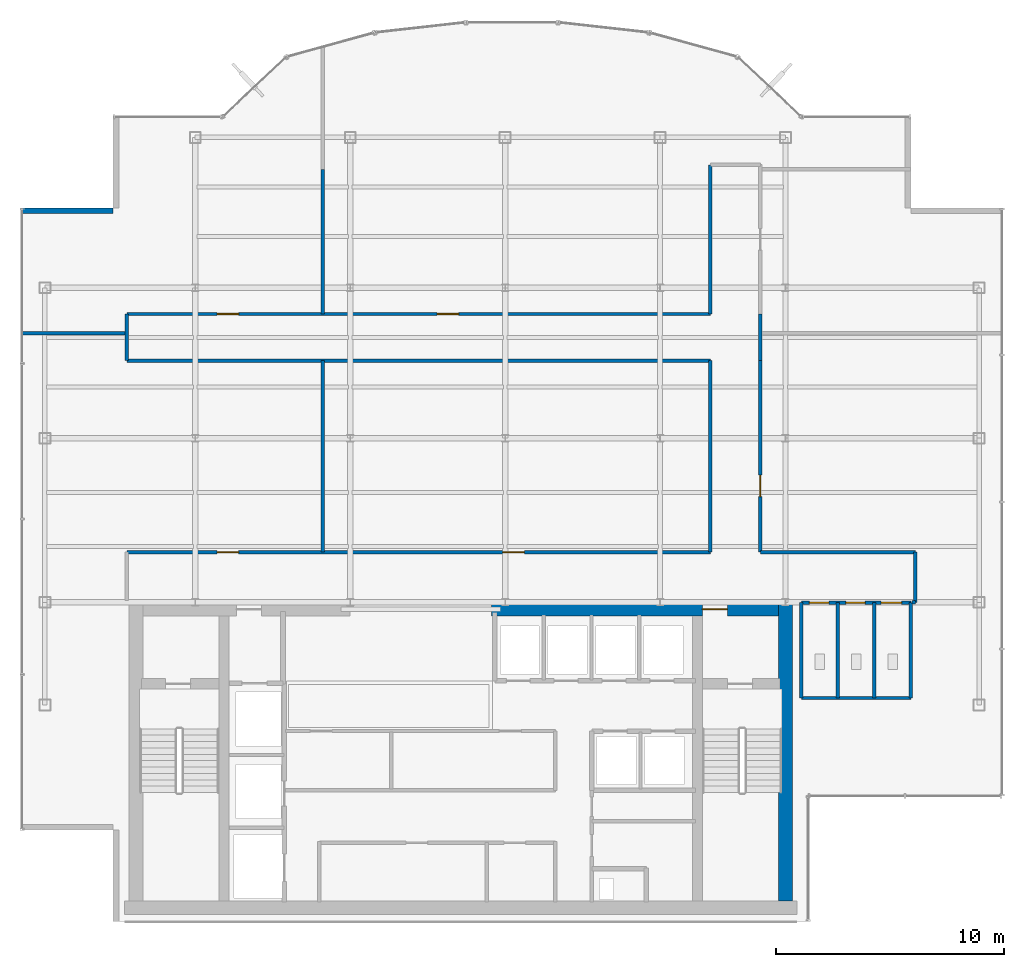
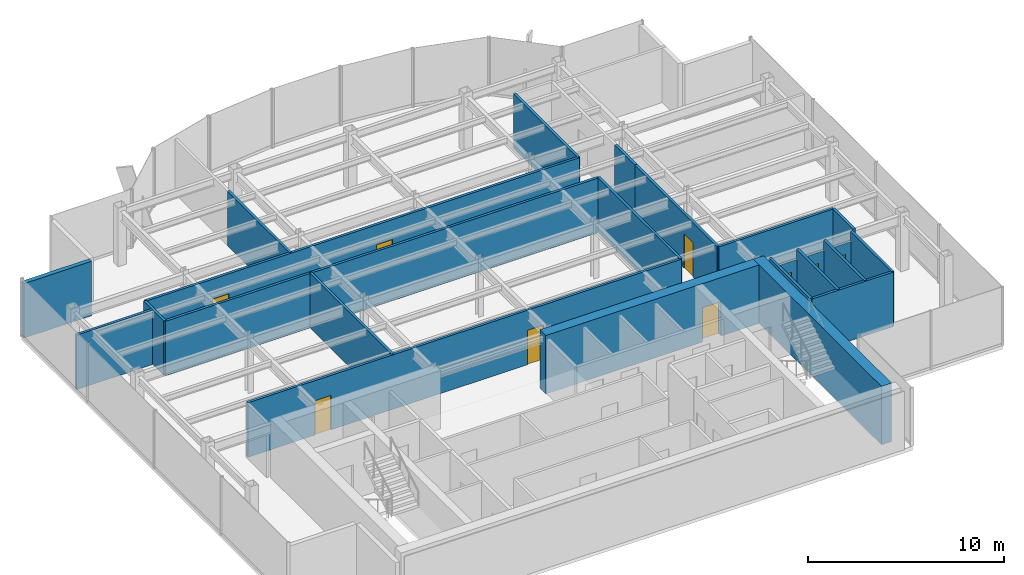
# One storey, part 18 of 22: 23 walls, 9 doors, 9 openings.
"""IFC4 building model written with IfcOpenShell, lengths in metres."""

from ifc_helpers import new_model, si_unit, derived_unit, direction, frame, frame_2d, origin, place, context, subcontext, project, spatial, rectangle, extrude, source, transform, mapped, material, layer, layer_set, type_object, element, fill, save


model = new_model("IFC4")

# Units and contexts
model_context = context("Model", 3, precision=1e-05, world=origin(), true_north=direction((0.0, 1.0)))
body_context = subcontext(model_context, "Body", "Model", "MODEL_VIEW")
ifc_project = project(units=[si_unit("LENGTHUNIT", "METRE"), si_unit("AREAUNIT", "SQUARE_METRE"), si_unit("VOLUMEUNIT", "CUBIC_METRE"), si_unit("PLANEANGLEUNIT", "RADIAN"), si_unit("MASSUNIT", "GRAM", prefix="KILO"), derived_unit("THERMALTRANSMITTANCEUNIT", [(si_unit("POWERUNIT", "WATT"), 1), (si_unit("LENGTHUNIT", "METRE"), -2), (si_unit("THERMODYNAMICTEMPERATUREUNIT", "KELVIN"), -1)])], contexts=[model_context])

# Site, building, storey
site_placement = place(None, origin())
site = spatial("IfcSite", under=ifc_project, at=site_placement, CompositionType="ELEMENT")
building_placement = place(site_placement, origin())
building = spatial("IfcBuilding", under=site, at=building_placement, Name="Skarnbrae Concourse Arena and Tower", CompositionType="ELEMENT")
storey_placement = place(building_placement, frame((0.0, 0.0, 199.550048828125)))
storey = spatial("IfcBuildingStorey", under=building, at=storey_placement, Name="L51", CompositionType="ELEMENT", Elevation=199.550048828125)

# Wall
ifc_material_1 = material(Name="Concrete 50 MPa (C50/60)", Category="concrete")
ifc_layer_1 = layer(ifc_material_1, 0.60009765625)
ifc_layer_set_1 = layer_set([ifc_layer_1], Name="Concrete 50 MPa (C50/60)")
wall_type_1 = type_object("IfcWallType", Name="WALL-CORE-600-C50", PredefinedType="SHEAR", material=ifc_layer_set_1)
shared_shape_1 = source(origin(), body_context, "Body", "SweptSolid", [
    extrude(rectangle(XDim=13.10009765625, YDim=0.60009765625, at=frame_2d((6.550048828125, 0.0))), origin(), (0.0, 0.0, 1.0), 3.64990234375),
])
wall_1_placement = place(storey_placement, frame((33.5, 0.89990234375, 0.0), z_axis=(0.0, 0.0, 1.0), x_axis=(0.0, 1.0, 0.0)))
element("IfcWall", 1, at=wall_1_placement, inside=storey, type_object=wall_type_1, Name="L51 Rear core shear wall CW-E", PredefinedType="SHEAR", context=body_context, shape_type="MappedRepresentation", body=[
    mapped(shared_shape_1, transform((0.0, 0.0, 0.0))),
])

# Wall, opening, door
shared_shape_2 = source(origin(), body_context, "Body", "SweptSolid", [
    extrude(rectangle(XDim=12.599853515625, YDim=0.60009765625, at=frame_2d((6.2998046875, 0.0))), origin(), (0.0, 0.0, 1.0), 3.64990234375),
])
wall_2_placement = place(storey_placement, frame((20.60009765625, 13.699951171875, 0.0), z_axis=(0.0, 0.0, 1.0), x_axis=(1.0, 0.0, 0.0)))
wall_2 = element("IfcWall", 2, at=wall_2_placement, inside=storey, type_object=wall_type_1, Name="L51 Rear core shear wall CW-NE", PredefinedType="SHEAR", context=body_context, shape_type="MappedRepresentation", body=[
    mapped(shared_shape_2, transform((0.0, 0.0, 0.0))),
])
opening_1_placement = place(wall_2_placement, frame((9.25, 0.0, 0.0)))
opening_1 = element("IfcOpeningElement", 3, at=opening_1_placement, cuts=wall_2, Name="Opening DT-03", PredefinedType="OPENING", context=body_context, shape_type="SweptSolid", body=[
    extrude(rectangle(XDim=1.10009765625, YDim=2.14990234375, at=frame_2d((0.550048828125, 1.074951171875))), frame((0.0, 0.31005859375, 0.0), z_axis=(0.0, -1.0, 0.0), x_axis=(1.0, 0.0, 0.0)), (0.0, 0.0, 1.0), 0.6201171875),
])
ifc_material_2 = material(Name="Steel CSA G40.21 350W", Category="steel")
door_type_1 = type_object("IfcDoorType", Name="DOOR-FIRE-1100-90M", OperationType="NOTDEFINED", PredefinedType="DOOR", material=ifc_material_2)
shared_shape_3 = source(origin(), body_context, "Body", "SweptSolid", [
    extrude(rectangle(XDim=1.10009765625, YDim=2.14990234375, at=frame_2d((0.550048828125, 1.074951171875))), frame((0.0, 0.02490234375, 0.0), z_axis=(0.0, -1.0, 0.0), x_axis=(1.0, 0.0, 0.0)), (0.0, 0.0, 1.0), 0.050048828125),
])
door_1_placement = place(opening_1_placement, origin())
door_1 = element("IfcDoor", 4, at=door_1_placement, inside=storey, type_object=door_type_1, Name="D-1558 Stair ST-2 Vestibule Door", OperationType="SINGLE_SWING_LEFT", OverallHeight=2.14990234375, OverallWidth=1.10009765625, PredefinedType="DOOR", context=body_context, shape_type="MappedRepresentation", body=[
    mapped(shared_shape_3, transform((0.0, 0.0, 0.0))),
])
fill(opening_1, door_1)

# Walls
ifc_material_3 = material(Name="Precast concrete 40 MPa (C40/50)", Category="concrete")
ifc_layer_2 = layer(ifc_material_3, 0.25)
ifc_layer_set_2 = layer_set([ifc_layer_2], Name="Precast concrete 40 MPa (C40/50)")
wall_type_2 = type_object("IfcWallType", Name="WALL-EXT-SPANDREL-250", PredefinedType="STANDARD", material=ifc_layer_set_2)
shared_shape_4 = source(origin(), body_context, "Body", "SweptSolid", [
    extrude(rectangle(XDim=4.0, YDim=0.25, at=frame_2d((2.0, 0.0))), origin(), (0.0, 0.0, 1.0), 3.39990234375),
])
wall_3_placement = place(storey_placement, frame((4.0, 31.175048828125, 0.0), z_axis=(0.0, 0.0, 1.0), x_axis=(-1.0, 0.0, 0.0)))
element("IfcWall", 5, at=wall_3_placement, inside=storey, type_object=wall_type_2, Name="L51 Notched corner insulated return wall 17", PredefinedType="STANDARD", context=body_context, shape_type="MappedRepresentation", body=[
    mapped(shared_shape_4, transform((0.0, 0.0, 0.0))),
])
ifc_material_4 = material(Name="Gypsum board on cold-formed steel studs", Category="steel")
ifc_layer_3 = layer(ifc_material_4, 0.14990234375)
ifc_layer_set_3 = layer_set([ifc_layer_3], Name="Gypsum board on cold-formed steel studs")
wall_type_3 = type_object("IfcWallType", Name="WALL-PART-150", PredefinedType="PARTITIONING", material=ifc_layer_set_3)
shared_shape_5 = source(origin(), body_context, "Body", "SweptSolid", [
    extrude(rectangle(XDim=4.800048828125, YDim=0.14990234375, at=frame_2d((2.39990234375, 0.0))), origin(), (0.0, 0.0, 1.0), 3.39990234375),
])
wall_4_placement = place(storey_placement, frame((34.199951171875, 9.800048828125, 0.0), z_axis=(0.0, 0.0, 1.0), x_axis=(1.0, 0.0, 0.0)))
element("IfcWall", 6, at=wall_4_placement, inside=storey, type_object=wall_type_3, Name="L51 Interior partition wall W-L51-WC-S", PredefinedType="PARTITIONING", context=body_context, shape_type="MappedRepresentation", body=[
    mapped(shared_shape_5, transform((0.0, 0.0, 0.0))),
])
shared_shape_6 = source(origin(), body_context, "Body", "SweptSolid", [
    extrude(rectangle(XDim=4.179931640625, YDim=0.14990234375, at=frame_2d((2.08984375, 0.0))), origin(), (0.0, 0.0, 1.0), 3.39990234375),
])
for number, where, z_axis, x_axis, name in (
    (7, (39.0, 9.800048828125, 0.0), (0.0, 0.0, 1.0), (0.0, 1.0, 0.0), "L51 Interior partition wall W-L51-WC-E"),
    (8, (34.199951171875, 9.800048828125, 0.0), (0.0, 0.0, 1.0), (0.0, 1.0, 0.0), "L51 Interior partition wall W-L51-WC-W"),
    (9, (35.800048828125, 9.800048828125, 0.0), (0.0, 0.0, 1.0), (0.0, 1.0, 0.0), "L51 Interior partition wall W-L51-WC-D1"),
    (10, (37.39990234375, 9.800048828125, 0.0), (0.0, 0.0, 1.0), (0.0, 1.0, 0.0), "L51 Interior partition wall W-L51-WC-D2"),
):
    element("IfcWall", number, at=place(storey_placement, frame(where, z_axis=z_axis, x_axis=x_axis)), inside=storey, type_object=wall_type_3, Name=name, PredefinedType="PARTITIONING", context=body_context, shape_type="MappedRepresentation", body=[
        mapped(shared_shape_6, transform((0.0, 0.0, 0.0))),
    ])
ifc_layer_4 = layer(ifc_material_4, 0.14990234375)
ifc_layer_set_4 = layer_set([ifc_layer_4], Name="Gypsum board on cold-formed steel studs")
wall_type_4 = type_object("IfcWallType", Name="WALL-PART-150-1HR", PredefinedType="PARTITIONING", material=ifc_layer_set_4)
shared_shape_7 = source(origin(), body_context, "Body", "SweptSolid", [
    extrude(rectangle(XDim=2.199951171875, YDim=0.14990234375, at=frame_2d((1.10009765625, 0.0))), origin(), (0.0, 0.0, 1.0), 3.39990234375),
])
wall_5_placement = place(storey_placement, frame((39.199951171875, 16.199951171875, 0.0), z_axis=(0.0, 0.0, 1.0), x_axis=(0.0, -1.0, 0.0)))
element("IfcWall", 11, at=wall_5_placement, inside=storey, type_object=wall_type_4, Name="L51 Interior partition wall W-L51-COR-13", PredefinedType="PARTITIONING", context=body_context, shape_type="MappedRepresentation", body=[
    mapped(shared_shape_7, transform((0.0, 0.0, 0.0))),
])
shared_shape_8 = source(origin(), body_context, "Body", "SweptSolid", [
    extrude(rectangle(XDim=4.580078125, YDim=0.14990234375, at=frame_2d((2.2900390625, 0.0))), origin(), (0.0, 0.0, 1.0), 3.39990234375),
])
wall_6_placement = place(storey_placement, frame((0.02001953125, 25.800048828125, 0.0), z_axis=(0.0, 0.0, 1.0), x_axis=(1.0, 0.0, 0.0)))
element("IfcWall", 12, at=wall_6_placement, inside=storey, type_object=wall_type_3, Name="L51 Interior partition wall W-L51-DEM-15", PredefinedType="PARTITIONING", context=body_context, shape_type="MappedRepresentation", body=[
    mapped(shared_shape_8, transform((0.0, 0.0, 0.0))),
])

# Wall, openings, doors
shared_shape_9 = source(origin(), body_context, "Body", "SweptSolid", [
    extrude(rectangle(XDim=4.800048828125, YDim=0.14990234375, at=frame_2d((2.39990234375, 0.0))), origin(), (0.0, 0.0, 1.0), 2.786865234375),
])
wall_7_placement = place(storey_placement, frame((34.199951171875, 13.97998046875, 0.0), z_axis=(0.0, 0.0, 1.0), x_axis=(1.0, 0.0, 0.0)))
wall_7 = element("IfcWall", 13, at=wall_7_placement, inside=storey, type_object=wall_type_3, Name="L51 Interior partition wall W-L51-WC-N", PredefinedType="PARTITIONING", context=body_context, shape_type="MappedRepresentation", body=[
    mapped(shared_shape_9, transform((0.0, 0.0, 0.0))),
])
opening_2_placement = place(wall_7_placement, frame((0.35009765625, 0.0, 0.0)))
opening_2 = element("IfcOpeningElement", 14, at=opening_2_placement, cuts=wall_7, Name="Opening DT-06", PredefinedType="OPENING", context=body_context, shape_type="SweptSolid", body=[
    extrude(rectangle(XDim=0.85009765625, YDim=2.10009765625, at=frame_2d((0.425048828125, 1.050048828125))), frame((0.0, 0.0849609375, 0.0), z_axis=(0.0, -1.0, 0.0), x_axis=(1.0, 0.0, 0.0)), (0.0, 0.0, 1.0), 0.169921875),
])
opening_3_placement = place(wall_7_placement, frame((1.949951171875, 0.0, 0.0)))
opening_3 = element("IfcOpeningElement", 15, at=opening_3_placement, cuts=wall_7, Name="Opening DT-06", PredefinedType="OPENING", context=body_context, shape_type="SweptSolid", body=[
    extrude(rectangle(XDim=0.85009765625, YDim=2.10009765625, at=frame_2d((0.425048828125, 1.050048828125))), frame((0.0, 0.0849609375, 0.0), z_axis=(0.0, -1.0, 0.0), x_axis=(1.0, 0.0, 0.0)), (0.0, 0.0, 1.0), 0.169921875),
])
opening_4_placement = place(wall_7_placement, frame((3.5, 0.0, 0.0)))
opening_4 = element("IfcOpeningElement", 16, at=opening_4_placement, cuts=wall_7, Name="Opening DT-05", PredefinedType="OPENING", context=body_context, shape_type="SweptSolid", body=[
    extrude(rectangle(XDim=0.89990234375, YDim=2.10009765625, at=frame_2d((0.449951171875, 1.050048828125))), frame((0.0, 0.0849609375, 0.0), z_axis=(0.0, -1.0, 0.0), x_axis=(1.0, 0.0, 0.0)), (0.0, 0.0, 1.0), 0.169921875),
])
ifc_material_5 = material(Name="Architectural oak veneer timber leaf", Category="wood")
door_type_2 = type_object("IfcDoorType", Name="DOOR-INT-850", OperationType="NOTDEFINED", PredefinedType="DOOR", material=ifc_material_5)
shared_shape_10 = source(origin(), body_context, "Body", "SweptSolid", [
    extrude(rectangle(XDim=0.85009765625, YDim=2.10009765625, at=frame_2d((0.425048828125, 1.050048828125))), frame((0.0, 0.02490234375, 0.0), z_axis=(0.0, -1.0, 0.0), x_axis=(1.0, 0.0, 0.0)), (0.0, 0.0, 1.0), 0.050048828125),
])
door_2_placement = place(opening_2_placement, frame((0.85009765625, 0.0, 0.0), z_axis=(0.0, 0.0, 1.0), x_axis=(-1.0, 0.0, 0.0)))
door_2 = element("IfcDoor", 17, at=door_2_placement, inside=storey, type_object=door_type_2, Name="D-1574 Male Washroom Door", OperationType="SINGLE_SWING_LEFT", OverallHeight=2.10009765625, OverallWidth=0.85009765625, PredefinedType="DOOR", context=body_context, shape_type="MappedRepresentation", body=[
    mapped(shared_shape_10, transform((0.0, 0.0, 0.0))),
])
fill(opening_2, door_2)
door_3_placement = place(opening_3_placement, frame((0.85009765625, 0.0, 0.0), z_axis=(0.0, 0.0, 1.0), x_axis=(-1.0, 0.0, 0.0)))
door_3 = element("IfcDoor", 18, at=door_3_placement, inside=storey, type_object=door_type_2, Name="D-1575 Female Washroom Door", OperationType="SINGLE_SWING_RIGHT", OverallHeight=2.10009765625, OverallWidth=0.85009765625, PredefinedType="DOOR", context=body_context, shape_type="MappedRepresentation", body=[
    mapped(shared_shape_10, transform((0.0, 0.0, 0.0))),
])
fill(opening_3, door_3)
door_type_3 = type_object("IfcDoorType", Name="DOOR-INT-900", OperationType="NOTDEFINED", PredefinedType="DOOR", material=ifc_material_5)
shared_shape_11 = source(origin(), body_context, "Body", "SweptSolid", [
    extrude(rectangle(XDim=0.89990234375, YDim=2.10009765625, at=frame_2d((0.449951171875, 1.050048828125))), frame((0.0, 0.02490234375, 0.0), z_axis=(0.0, -1.0, 0.0), x_axis=(1.0, 0.0, 0.0)), (0.0, 0.0, 1.0), 0.050048828125),
])
door_4_placement = place(opening_4_placement, frame((0.89990234375, 0.0, 0.0), z_axis=(0.0, 0.0, 1.0), x_axis=(-1.0, 0.0, 0.0)))
door_4 = element("IfcDoor", 19, at=door_4_placement, inside=storey, type_object=door_type_3, Name="D-1576 Accessible WC Door", OperationType="SINGLE_SWING_LEFT", OverallHeight=2.10009765625, OverallWidth=0.89990234375, PredefinedType="DOOR", context=body_context, shape_type="MappedRepresentation", body=[
    mapped(shared_shape_11, transform((0.0, 0.0, 0.0))),
])
fill(opening_4, door_4)

# Walls
shared_shape_12 = source(origin(), body_context, "Body", "SweptSolid", [
    extrude(rectangle(XDim=0.14990234375, YDim=0.14990234375, at=frame_2d((0.074951171875, 0.0))), origin(), (0.0, 0.0, 1.0), 3.39990234375),
])
wall_8_placement = place(storey_placement, frame((39.199951171875, 14.0, 0.0), z_axis=(0.0, 0.0, 1.0), x_axis=(-1.0, 0.0, 0.0)))
element("IfcWall", 20, at=wall_8_placement, inside=storey, type_object=wall_type_4, Name="L51 Interior partition wall W-L51-COR-14", PredefinedType="PARTITIONING", context=body_context, shape_type="MappedRepresentation", body=[
    mapped(shared_shape_12, transform((0.0, 0.0, 0.0))),
])
shared_shape_13 = source(origin(), body_context, "Body", "SweptSolid", [
    extrude(rectangle(XDim=6.550048828125, YDim=0.14990234375, at=frame_2d((3.27490234375, 0.0))), origin(), (0.0, 0.0, 1.0), 3.39990234375),
])
wall_9_placement = place(storey_placement, frame((30.199951171875, 26.64990234375, 0.0), z_axis=(0.0, 0.0, 1.0), x_axis=(0.0, 1.0, 0.0)))
element("IfcWall", 21, at=wall_9_placement, inside=storey, type_object=wall_type_4, Name="L51 Interior partition wall W-L51-COR-07", PredefinedType="PARTITIONING", context=body_context, shape_type="MappedRepresentation", body=[
    mapped(shared_shape_13, transform((0.0, 0.0, 0.0))),
])

# Wall, openings, doors
shared_shape_14 = source(origin(), body_context, "Body", "SweptSolid", [
    extrude(rectangle(XDim=25.599853515625, YDim=0.14990234375, at=frame_2d((12.7998046875, 0.0))), origin(), (0.0, 0.0, 1.0), 3.39990234375),
])
wall_10_placement = place(storey_placement, frame((4.60009765625, 16.199951171875, 0.0), z_axis=(0.0, 0.0, 1.0), x_axis=(1.0, 0.0, 0.0)))
wall_10 = element("IfcWall", 22, at=wall_10_placement, inside=storey, type_object=wall_type_4, Name="L51 Interior partition wall W-L51-COR-02", PredefinedType="PARTITIONING", context=body_context, shape_type="MappedRepresentation", body=[
    mapped(shared_shape_14, transform((0.0, 0.0, 0.0))),
])
opening_5_placement = place(wall_10_placement, frame((3.955078125, 0.0, 0.0)))
opening_5 = element("IfcOpeningElement", 23, at=opening_5_placement, cuts=wall_10, Name="Opening DT-04", PredefinedType="OPENING", context=body_context, shape_type="SweptSolid", body=[
    extrude(rectangle(XDim=0.949951171875, YDim=2.14990234375, at=frame_2d((0.47509765625, 1.074951171875))), frame((0.0, 0.0849609375, 0.0), z_axis=(0.0, -1.0, 0.0), x_axis=(1.0, 0.0, 0.0)), (0.0, 0.0, 1.0), 0.169921875),
])
opening_6_placement = place(wall_10_placement, frame((16.4951171875, 0.0, 0.0)))
opening_6 = element("IfcOpeningElement", 24, at=opening_6_placement, cuts=wall_10, Name="Opening DT-04", PredefinedType="OPENING", context=body_context, shape_type="SweptSolid", body=[
    extrude(rectangle(XDim=0.949951171875, YDim=2.14990234375, at=frame_2d((0.47509765625, 1.074951171875))), frame((0.0, 0.0849609375, 0.0), z_axis=(0.0, -1.0, 0.0), x_axis=(1.0, 0.0, 0.0)), (0.0, 0.0, 1.0), 0.169921875),
])
door_type_4 = type_object("IfcDoorType", Name="DOOR-INT-950-45M", OperationType="NOTDEFINED", PredefinedType="DOOR", material=ifc_material_2)
shared_shape_15 = source(origin(), body_context, "Body", "SweptSolid", [
    extrude(rectangle(XDim=0.949951171875, YDim=2.14990234375, at=frame_2d((0.47509765625, 1.074951171875))), frame((0.0, 0.02490234375, 0.0), z_axis=(0.0, -1.0, 0.0), x_axis=(1.0, 0.0, 0.0)), (0.0, 0.0, 1.0), 0.050048828125),
])
door_5_placement = place(opening_5_placement, origin())
door_5 = element("IfcDoor", 25, at=door_5_placement, inside=storey, type_object=door_type_4, Name="D-1577 L51 Suite Door 01", OperationType="SINGLE_SWING_LEFT", OverallHeight=2.14990234375, OverallWidth=0.949951171875, PredefinedType="DOOR", context=body_context, shape_type="MappedRepresentation", body=[
    mapped(shared_shape_15, transform((0.0, 0.0, 0.0))),
])
fill(opening_5, door_5)
door_6_placement = place(opening_6_placement, origin())
door_6 = element("IfcDoor", 26, at=door_6_placement, inside=storey, type_object=door_type_4, Name="D-1579 L51 Suite Door 03", OperationType="SINGLE_SWING_LEFT", OverallHeight=2.14990234375, OverallWidth=0.949951171875, PredefinedType="DOOR", context=body_context, shape_type="MappedRepresentation", body=[
    mapped(shared_shape_15, transform((0.0, 0.0, 0.0))),
])
fill(opening_6, door_6)

# Wall
wall_11_placement = place(storey_placement, frame((30.199951171875, 24.60009765625, 0.0), z_axis=(0.0, 0.0, 1.0), x_axis=(-1.0, 0.0, 0.0)))
element("IfcWall", 27, at=wall_11_placement, inside=storey, type_object=wall_type_4, Name="L51 Interior partition wall W-L51-COR-04", PredefinedType="PARTITIONING", context=body_context, shape_type="MappedRepresentation", body=[
    mapped(shared_shape_14, transform((0.0, 0.0, 0.0))),
])

# Wall, openings, doors
wall_12_placement = place(storey_placement, frame((4.60009765625, 26.64990234375, 0.0), z_axis=(0.0, 0.0, 1.0), x_axis=(1.0, 0.0, 0.0)))
wall_12 = element("IfcWall", 28, at=wall_12_placement, inside=storey, type_object=wall_type_4, Name="L51 Interior partition wall W-L51-COR-06", PredefinedType="PARTITIONING", context=body_context, shape_type="MappedRepresentation", body=[
    mapped(shared_shape_14, transform((0.0, 0.0, 0.0))),
])
opening_7_placement = place(wall_12_placement, frame((3.955078125, 0.0, 0.0)))
opening_7 = element("IfcOpeningElement", 29, at=opening_7_placement, cuts=wall_12, Name="Opening DT-04", PredefinedType="OPENING", context=body_context, shape_type="SweptSolid", body=[
    extrude(rectangle(XDim=0.949951171875, YDim=2.14990234375, at=frame_2d((0.47509765625, 1.074951171875))), frame((0.0, 0.0849609375, 0.0), z_axis=(0.0, -1.0, 0.0), x_axis=(1.0, 0.0, 0.0)), (0.0, 0.0, 1.0), 0.169921875),
])
opening_8_placement = place(wall_12_placement, frame((13.610107421875, 0.0, 0.0)))
opening_8 = element("IfcOpeningElement", 30, at=opening_8_placement, cuts=wall_12, Name="Opening DT-04", PredefinedType="OPENING", context=body_context, shape_type="SweptSolid", body=[
    extrude(rectangle(XDim=0.949951171875, YDim=2.14990234375, at=frame_2d((0.47509765625, 1.074951171875))), frame((0.0, 0.0849609375, 0.0), z_axis=(0.0, -1.0, 0.0), x_axis=(1.0, 0.0, 0.0)), (0.0, 0.0, 1.0), 0.169921875),
])
door_7_placement = place(opening_7_placement, origin())
door_7 = element("IfcDoor", 31, at=door_7_placement, inside=storey, type_object=door_type_4, Name="D-1578 L51 Suite Door 02", OperationType="SINGLE_SWING_RIGHT", OverallHeight=2.14990234375, OverallWidth=0.949951171875, PredefinedType="DOOR", context=body_context, shape_type="MappedRepresentation", body=[
    mapped(shared_shape_15, transform((0.0, 0.0, 0.0))),
])
fill(opening_7, door_7)
door_8_placement = place(opening_8_placement, origin())
door_8 = element("IfcDoor", 32, at=door_8_placement, inside=storey, type_object=door_type_4, Name="D-1580 L51 Suite Door 04", OperationType="SINGLE_SWING_RIGHT", OverallHeight=2.14990234375, OverallWidth=0.949951171875, PredefinedType="DOOR", context=body_context, shape_type="MappedRepresentation", body=[
    mapped(shared_shape_15, transform((0.0, 0.0, 0.0))),
])
fill(opening_8, door_8)

# Wall
shared_shape_16 = source(origin(), body_context, "Body", "SweptSolid", [
    extrude(rectangle(XDim=8.400146484375, YDim=0.14990234375, at=frame_2d((4.2001953125, 0.0))), origin(), (0.0, 0.0, 1.0), 3.39990234375),
])
wall_13_placement = place(storey_placement, frame((30.199951171875, 16.199951171875, 0.0), z_axis=(0.0, 0.0, 1.0), x_axis=(0.0, 1.0, 0.0)))
element("IfcWall", 33, at=wall_13_placement, inside=storey, type_object=wall_type_4, Name="L51 Interior partition wall W-L51-COR-03", PredefinedType="PARTITIONING", context=body_context, shape_type="MappedRepresentation", body=[
    mapped(shared_shape_16, transform((0.0, 0.0, 0.0))),
])

# Wall, opening, door
wall_14_placement = place(storey_placement, frame((32.39990234375, 24.60009765625, 0.0), z_axis=(0.0, 0.0, 1.0), x_axis=(0.0, -1.0, 0.0)))
wall_14 = element("IfcWall", 34, at=wall_14_placement, inside=storey, type_object=wall_type_4, Name="L51 Interior partition wall W-L51-COR-11", PredefinedType="PARTITIONING", context=body_context, shape_type="MappedRepresentation", body=[
    mapped(shared_shape_16, transform((0.0, 0.0, 0.0))),
])
opening_9_placement = place(wall_14_placement, frame((5.01611328125, 0.0, 0.0)))
opening_9 = element("IfcOpeningElement", 35, at=opening_9_placement, cuts=wall_14, Name="Opening DT-04", PredefinedType="OPENING", context=body_context, shape_type="SweptSolid", body=[
    extrude(rectangle(XDim=0.949951171875, YDim=2.14990234375, at=frame_2d((0.47509765625, 1.074951171875))), frame((0.0, 0.0849609375, 0.0), z_axis=(0.0, -1.0, 0.0), x_axis=(1.0, 0.0, 0.0)), (0.0, 0.0, 1.0), 0.169921875),
])
door_9_placement = place(opening_9_placement, origin())
door_9 = element("IfcDoor", 36, at=door_9_placement, inside=storey, type_object=door_type_4, Name="D-1582 L51 Suite Door 06", OperationType="SINGLE_SWING_RIGHT", OverallHeight=2.14990234375, OverallWidth=0.949951171875, PredefinedType="DOOR", context=body_context, shape_type="MappedRepresentation", body=[
    mapped(shared_shape_15, transform((0.0, 0.0, 0.0))),
])
fill(opening_9, door_9)

# Walls
wall_15_placement = place(storey_placement, frame((13.199951171875, 24.60009765625, 0.0), z_axis=(0.0, 0.0, 1.0), x_axis=(0.0, -1.0, 0.0)))
element("IfcWall", 37, at=wall_15_placement, inside=storey, type_object=wall_type_3, Name="L51 Interior partition wall W-L51-DEM-16", PredefinedType="PARTITIONING", context=body_context, shape_type="MappedRepresentation", body=[
    mapped(shared_shape_16, transform((0.0, 0.0, 0.0))),
])
shared_shape_17 = source(origin(), body_context, "Body", "SweptSolid", [
    extrude(rectangle(XDim=2.0498046875, YDim=0.14990234375, at=frame_2d((1.02490234375, 0.0))), origin(), (0.0, 0.0, 1.0), 3.39990234375),
])
for number, where, z_axis, x_axis, name in (
    (38, (4.60009765625, 24.60009765625, 0.0), (0.0, 0.0, 1.0), (0.0, 1.0, 0.0), "L51 Interior partition wall W-L51-COR-05"),
    (39, (32.39990234375, 26.64990234375, 0.0), (0.0, 0.0, 1.0), (0.0, -1.0, 0.0), "L51 Interior partition wall W-L51-COR-10"),
):
    element("IfcWall", number, at=place(storey_placement, frame(where, z_axis=z_axis, x_axis=x_axis)), inside=storey, type_object=wall_type_4, Name=name, PredefinedType="PARTITIONING", context=body_context, shape_type="MappedRepresentation", body=[
        mapped(shared_shape_17, transform((0.0, 0.0, 0.0))),
    ])
shared_shape_18 = source(origin(), body_context, "Body", "SweptSolid", [
    extrude(rectangle(XDim=6.800048828125, YDim=0.14990234375, at=frame_2d((3.39990234375, 0.0))), origin(), (0.0, 0.0, 1.0), 3.39990234375),
])
wall_16_placement = place(storey_placement, frame((32.39990234375, 16.199951171875, 0.0), z_axis=(0.0, 0.0, 1.0), x_axis=(1.0, 0.0, 0.0)))
element("IfcWall", 40, at=wall_16_placement, inside=storey, type_object=wall_type_4, Name="L51 Interior partition wall W-L51-COR-12", PredefinedType="PARTITIONING", context=body_context, shape_type="MappedRepresentation", body=[
    mapped(shared_shape_18, transform((0.0, 0.0, 0.0))),
])
shared_shape_19 = source(origin(), body_context, "Body", "SweptSolid", [
    extrude(rectangle(XDim=6.35009765625, YDim=0.14990234375, at=frame_2d((3.175048828125, 0.0))), origin(), (0.0, 0.0, 1.0), 3.39990234375),
])
wall_17_placement = place(storey_placement, frame((13.199951171875, 33.0, 0.0), z_axis=(0.0, 0.0, 1.0), x_axis=(0.0, -1.0, 0.0)))
element("IfcWall", 41, at=wall_17_placement, inside=storey, type_object=wall_type_3, Name="L51 Interior partition wall W-L51-DEM-18", PredefinedType="PARTITIONING", context=body_context, shape_type="MappedRepresentation", body=[
    mapped(shared_shape_19, transform((0.0, 0.0, 0.0))),
])

save(model, "model.ifc")
